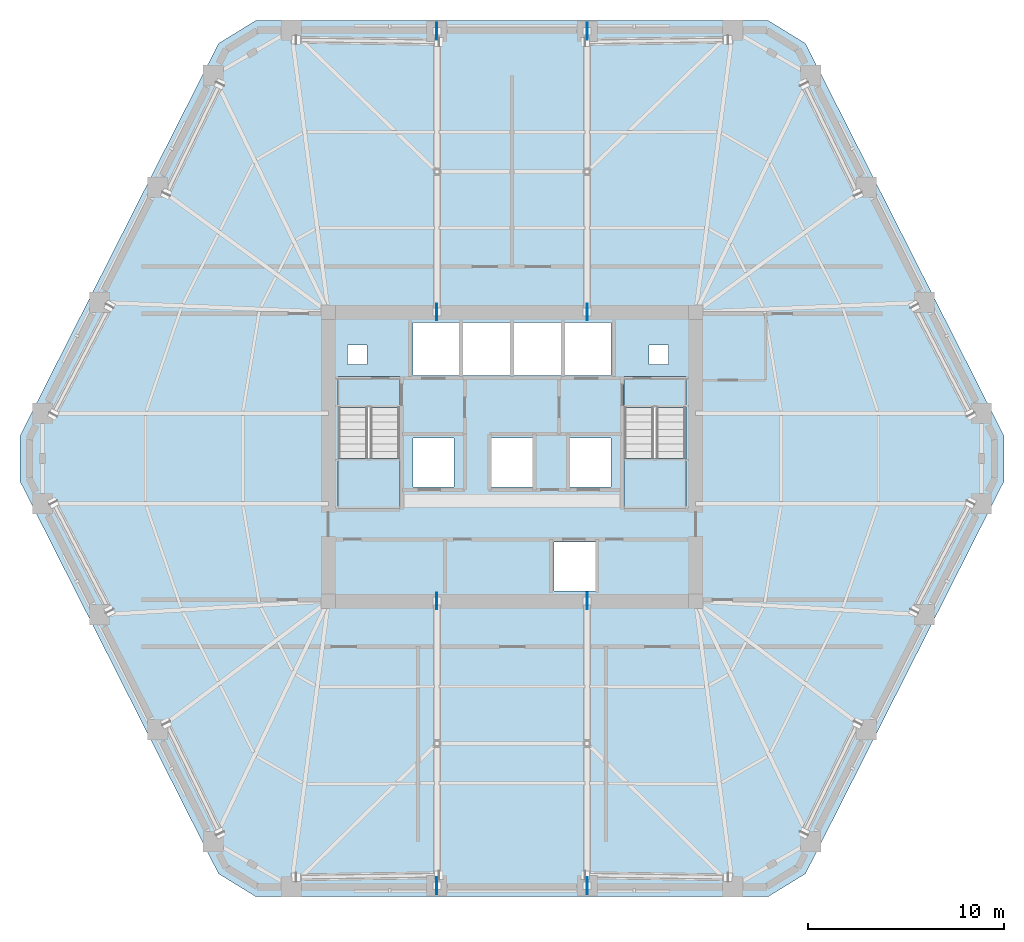
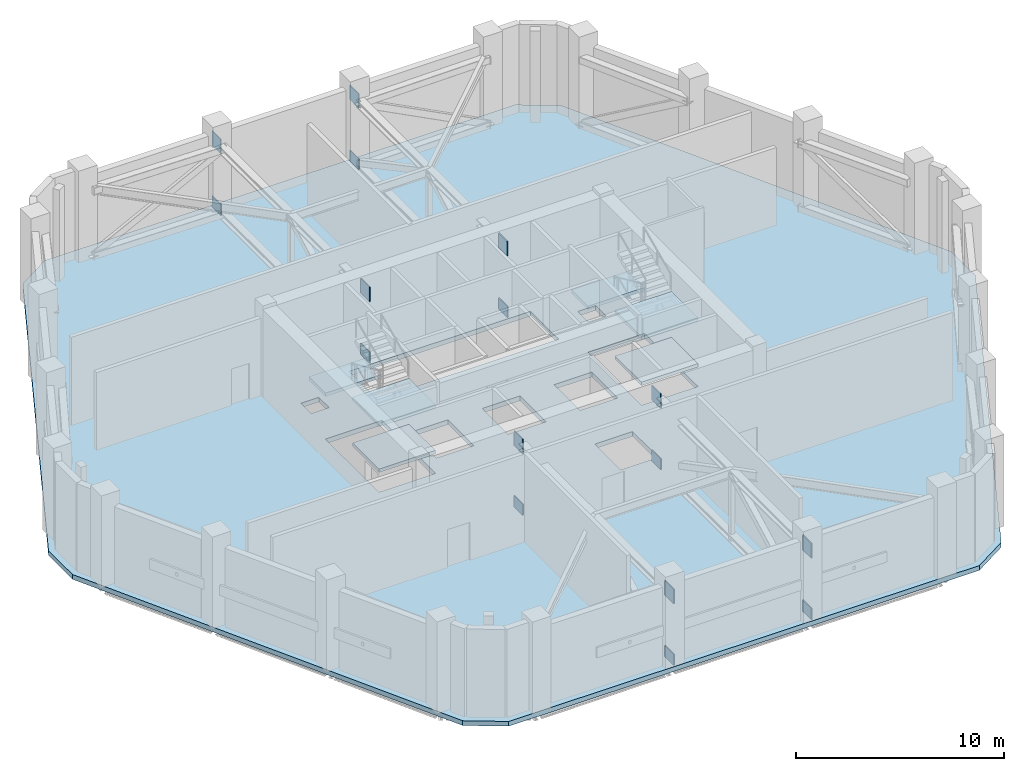
# One storey, part 6 of 15: 16 plates, 7 slabs, 2 elements without a shape of their own.
"""IFC4 building model written with IfcOpenShell, lengths in metres."""

import ifcopenshell
import ifcopenshell.guid

model = None  # the IFC model being written
_history = None  # IfcOwnerHistory: only IFC2X3 demands one
_inside = {}  # id of a spatial element -> (the spatial element, [elements in it])
_under = {}  # id of a project, library or spatial element -> (it, [spatial elements below it])
_declared = {}  # id of a project -> (the project, [libraries it declares])
_typed = {}  # id of a type object -> (the type object, [elements of that type])
_made_of = {}  # id of a material, layer set ... -> (it, [elements and type objects made of it])


def new_model(schema):
    """Start an empty IFC model of exactly this schema.

    Asked for "IFC4X3", IfcOpenShell would pick the latest addendum, in which some entities
    have other attributes; the version numbers below select the first issue.
    IFC2X3 requires an IfcOwnerHistory on every rooted entity: one is made here for all.
    """
    global model, _history
    if schema == "IFC4X3":
        model = ifcopenshell.file(schema_version=(4, 3, 0, 0))
    else:
        model = ifcopenshell.file(schema=schema)
    _inside.clear()
    _under.clear()
    _declared.clear()
    _typed.clear()
    _made_of.clear()
    _history = None
    if model.schema == "IFC2X3":
        org = make("IfcOrganization", Name="unknown")
        user = make(
            "IfcPersonAndOrganization",
            ThePerson=make("IfcPerson", FamilyName="unknown"),
            TheOrganization=org,
        )
        app = make(
            "IfcApplication",
            ApplicationDeveloper=org,
            Version="unknown",
            ApplicationFullName="unknown",
            ApplicationIdentifier="unknown",
        )
        _history = make(
            "IfcOwnerHistory",
            OwningUser=user,
            OwningApplication=app,
            ChangeAction="ADDED",
            CreationDate=0,
        )
    return model


def make(cls, **values):
    """One entity of the class cls with the attributes given. An attribute that is None is left unset."""
    return model.create_entity(
        cls, **{name: value for name, value in values.items() if value is not None}
    )


def rooted(cls, **values):
    """An entity with a GlobalId (a new one), such as an element, a storey or a relation."""
    return make(cls, GlobalId=ifcopenshell.guid.new(), OwnerHistory=_history, **values)


def si_unit(unit_type, name, prefix=None):
    """IfcSIUnit, for example si_unit("LENGTHUNIT", "METRE", prefix="MILLI")."""
    return make("IfcSIUnit", UnitType=unit_type, Prefix=prefix, Name=name)


def assignment(units):
    """IfcUnitAssignment: the units of a project."""
    return None if units is None else make("IfcUnitAssignment", Units=units)


def point(xyz):
    """IfcCartesianPoint."""
    return None if xyz is None else make("IfcCartesianPoint", Coordinates=xyz)


def direction(xyz):
    """IfcDirection."""
    return None if xyz is None else make("IfcDirection", DirectionRatios=xyz)


def frame(location, z_axis=None, x_axis=None):
    """IfcAxis2Placement3D, a coordinate frame: its origin and axes. An axis left out is left unset."""
    return make(
        "IfcAxis2Placement3D",
        Location=point(location),
        Axis=direction(z_axis),
        RefDirection=direction(x_axis),
    )


def frame_2d(location, x_axis=None):
    """IfcAxis2Placement2D, a coordinate frame in the plane: its origin and x axis."""
    return make(
        "IfcAxis2Placement2D", Location=point(location), RefDirection=direction(x_axis)
    )


def origin():
    """The frame at (0, 0, 0) with its axes left unset."""
    return frame((0.0, 0.0, 0.0))


def origin_2d():
    """The frame at (0, 0) in the plane with its x axis left unset."""
    return frame_2d((0.0, 0.0))


def place(relative_to, where):
    """IfcLocalPlacement: puts the frame where relative to a parent placement (None: the world)."""
    return make(
        "IfcLocalPlacement", PlacementRelTo=relative_to, RelativePlacement=where
    )


def context(
    kind, dimensions, precision=None, world=None, true_north=None, identifier=None
):
    """IfcGeometricRepresentationContext, for example the 3D "Model" context."""
    return make(
        "IfcGeometricRepresentationContext",
        ContextIdentifier=identifier,
        ContextType=kind,
        CoordinateSpaceDimension=dimensions,
        Precision=precision,
        WorldCoordinateSystem=world,
        TrueNorth=true_north,
    )


def subcontext(parent, identifier, kind, view, scale=None):
    """IfcGeometricRepresentationSubContext, for example "Body" below "Model"."""
    return make(
        "IfcGeometricRepresentationSubContext",
        ContextIdentifier=identifier,
        ContextType=kind,
        ParentContext=parent,
        TargetScale=scale,
        TargetView=view,
    )


def project(units=None, contexts=None):
    """IfcProject with its units and contexts."""
    return rooted(
        "IfcProject",
        Name="project",
        RepresentationContexts=contexts,
        UnitsInContext=assignment(units),
    )


def spatial(cls, under=None, at=None, **own):
    """A site, building, storey or space (cls), placed at a placement, below another one or the project."""
    s = rooted(cls, ObjectPlacement=at, **own)
    if under is not None:
        _under.setdefault(under.id(), (under, []))[1].append(s)
    return s


def polyline(points):
    """IfcPolyline through the points."""
    return make("IfcPolyline", Points=[point(p) for p in points])


def profile(cls, at=None, kind="AREA", **sizes):
    """A parametric profile (cls). Its sizes go by their IFC names, for example OverallWidth=200.0."""
    return make(cls, ProfileType=kind, Position=at, **sizes)


def rectangle(**sizes):
    """IfcRectangleProfileDef."""
    return profile("IfcRectangleProfileDef", **sizes)


def outline(outer, holes=None, kind="AREA"):
    """IfcArbitraryClosedProfileDef: a profile drawn as a closed curve; with holes, ...WithVoids."""
    if holes is None:
        return make("IfcArbitraryClosedProfileDef", ProfileType=kind, OuterCurve=outer)
    return make(
        "IfcArbitraryProfileDefWithVoids",
        ProfileType=kind,
        OuterCurve=outer,
        InnerCurves=holes,
    )


def extrude(swept, where, along, depth):
    """IfcExtrudedAreaSolid: the profile swept, set in the frame where, extruded along a direction by depth."""
    return make(
        "IfcExtrudedAreaSolid",
        SweptArea=swept,
        Position=where,
        ExtrudedDirection=direction(along),
        Depth=depth,
    )


def shape(context_of_items, identifier, shape_type, items):
    """IfcShapeRepresentation: the items that make up one representation, for example the "Body"."""
    return make(
        "IfcShapeRepresentation",
        ContextOfItems=context_of_items,
        RepresentationIdentifier=identifier,
        RepresentationType=shape_type,
        Items=items,
    )


def material(Name=None, Category=None):
    """IfcMaterial."""
    return make("IfcMaterial", Name=Name, Category=Category)


def layer(
    of_material, thickness, ventilated=None, Name=None, Category=None, Priority=None
):
    """IfcMaterialLayer: one layer of a wall or slab, of a material (None: an air gap)."""
    return make(
        "IfcMaterialLayer",
        Material=of_material,
        LayerThickness=thickness,
        IsVentilated=ventilated,
        Name=Name,
        Category=Category,
        Priority=Priority,
    )


def layer_set(layers, Name=None):
    """IfcMaterialLayerSet."""
    return make("IfcMaterialLayerSet", MaterialLayers=layers, LayerSetName=Name)


def made_of(thing, what):
    """Note that an element or type object is made of a material, layer set ...; save() writes the relation."""
    if what is not None:
        _made_of.setdefault(what.id(), (what, []))[1].append(thing)
    return thing


def type_object(cls, material=None, **own):
    """A type object (cls), such as IfcWallType, which elements share."""
    return made_of(rooted(cls, **own), material)


def element(
    cls,
    number,
    at=None,
    inside=None,
    cuts=None,
    type_object=None,
    material=None,
    context=None,
    identifier="Body",
    shape_type=None,
    held_by="IfcProductDefinitionShape",
    body=None,
    shapes=None,
    **own,
):
    """One element of the class cls, such as IfcWall. Its Tag is "e" and its number.

    at: its placement. inside: the storey or other place that contains it. cuts: it is an
    opening in that element (IfcRelVoidsElement). A single representation is given by context,
    identifier, shape_type and body (its items); several are given by shapes. held_by: the class
    of the entity that holds the representations. save() writes the other relations.
    """
    e = rooted(cls, Tag="e%d" % number, ObjectPlacement=at, **own)
    if body is not None:
        shapes = [shape(context, identifier, shape_type, body)]
    if shapes is not None:
        e.Representation = make(held_by, Representations=shapes)
    if inside is not None:
        _inside.setdefault(inside.id(), (inside, []))[1].append(e)
    if cuts is not None:
        rooted(
            "IfcRelVoidsElement", RelatingBuildingElement=cuts, RelatedOpeningElement=e
        )
    if type_object is not None:
        _typed.setdefault(type_object.id(), (type_object, []))[1].append(e)
    return made_of(e, material)


def aggregate(whole, parts):
    """IfcRelAggregates: a whole, such as a stair, and the parts it consists of."""
    return rooted("IfcRelAggregates", RelatingObject=whole, RelatedObjects=parts)


def save(model, path):
    """Write the relations noted so far, then the file.

    IfcRelAggregates (storeys below a building ...), IfcRelContainedInSpatialStructure (elements
    in a storey), IfcRelDefinesByType, IfcRelAssociatesMaterial and IfcRelDeclares: one each for
    every whole, place, type object, material and project.
    """
    for whole, parts in _under.values():
        aggregate(whole, parts)
    for where, things in _inside.values():
        rooted(
            "IfcRelContainedInSpatialStructure",
            RelatedElements=things,
            RelatingStructure=where,
        )
    for kind, things in _typed.values():
        rooted("IfcRelDefinesByType", RelatedObjects=things, RelatingType=kind)
    for what, things in _made_of.values():
        rooted("IfcRelAssociatesMaterial", RelatedObjects=things, RelatingMaterial=what)
    for by, libraries in _declared.values():
        rooted("IfcRelDeclares", RelatingContext=by, RelatedDefinitions=libraries)
    model.write(path)


model = new_model("IFC4")

# Units and contexts
model_context = context("Model", 3, precision=1e-05, world=origin(), true_north=direction((0.0, 1.0)))
body_context = subcontext(model_context, "Body", "Model", "MODEL_VIEW")
ifc_project = project(units=[si_unit("LENGTHUNIT", "METRE"), si_unit("AREAUNIT", "SQUARE_METRE"), si_unit("VOLUMEUNIT", "CUBIC_METRE"), si_unit("PLANEANGLEUNIT", "RADIAN"), si_unit("MASSUNIT", "GRAM", prefix="KILO")], contexts=[model_context])

# Site, building, storey
site_placement = place(None, origin())
site = spatial("IfcSite", under=ifc_project, at=site_placement, CompositionType="ELEMENT")
building_placement = place(site_placement, origin())
building = spatial("IfcBuilding", under=site, at=building_placement, Name="Cinnabar Lancet Tower", CompositionType="ELEMENT")
storey_placement = place(building_placement, frame((0.0, 0.0, 148.10009765625)))
storey = spatial("IfcBuildingStorey", under=building, at=storey_placement, Name="L39", CompositionType="ELEMENT", Elevation=148.10009765625)

# Stair, slabs
ifc_material_1 = material(Name="Concrete C40/50", Category="concrete")
stair_type = type_object("IfcStairType", Name="ST-CORE", PredefinedType="HALF_TURN_STAIR", material=ifc_material_1)
stair_1_placement = place(storey_placement, origin())
stair_1 = element("IfcStair", 1, at=stair_1_placement, inside=storey, type_object=stair_type, Name="L39 ST-1", PredefinedType="HALF_TURN_STAIR")
ifc_material_2 = material(Name="Concrete C40/50", Category="concrete")
ifc_layer_1 = layer(ifc_material_2, 0.199951171875)
ifc_layer_set_1 = layer_set([ifc_layer_1], Name="Concrete C40/50")
slab_type_1 = type_object("IfcSlabType", Name="LANDING-CORE", PredefinedType="LANDING", material=ifc_layer_set_1)
slab_1_placement = place(storey_placement, frame((0.0, 0.0, 1.14990234375)))
slab_1 = element("IfcSlab", 2, at=slab_1_placement, type_object=slab_type_1, Name="ST-1 landing 1", PredefinedType="LANDING", context=body_context, shape_type="SweptSolid", body=[
    extrude(outline(polyline([(23.52490234375, 25.80029296875), (23.52490234375, 23.25), (26.675048828125, 23.25), (26.675048828125, 25.80029296875), (23.52490234375, 25.80029296875)])), origin(), (0.0, 0.0, 1.0), 0.199951171875),
])
slab_2_placement = place(storey_placement, frame((0.0, 0.0, 2.5)))
slab_2 = element("IfcSlab", 3, at=slab_2_placement, type_object=slab_type_1, Name="ST-1 landing 2", PredefinedType="LANDING", context=body_context, shape_type="SweptSolid", body=[
    extrude(outline(polyline([(23.52490234375, 30.0), (23.52490234375, 28.39990234375), (26.675048828125, 28.39990234375), (26.675048828125, 30.0), (23.52490234375, 30.0)])), origin(), (0.0, 0.0, 1.0), 0.199951171875),
])
slab_3_placement = place(storey_placement, frame((0.0, 0.0, 3.849853515625)))
slab_3 = element("IfcSlab", 4, at=slab_3_placement, type_object=slab_type_1, Name="ST-1 landing 3", PredefinedType="LANDING", context=body_context, shape_type="SweptSolid", body=[
    extrude(outline(polyline([(23.52490234375, 25.80029296875), (23.52490234375, 23.25), (26.675048828125, 23.25), (26.675048828125, 25.80029296875), (23.52490234375, 25.80029296875)])), origin(), (0.0, 0.0, 1.0), 0.199951171875),
])
aggregate(stair_1, [slab_1, slab_2, slab_3])

stair_2_placement = place(storey_placement, origin())
stair_2 = element("IfcStair", 5, at=stair_2_placement, inside=storey, type_object=stair_type, Name="L39 ST-2", PredefinedType="HALF_TURN_STAIR")
slab_4_placement = place(storey_placement, frame((0.0, 0.0, 1.14990234375)))
slab_4 = element("IfcSlab", 6, at=slab_4_placement, type_object=slab_type_1, Name="ST-2 landing 1", PredefinedType="LANDING", context=body_context, shape_type="SweptSolid", body=[
    extrude(outline(polyline([(38.125, 25.80029296875), (38.125, 23.25), (41.27490234375, 23.25), (41.27490234375, 25.80029296875), (38.125, 25.80029296875)])), origin(), (0.0, 0.0, 1.0), 0.199951171875),
])
slab_5_placement = place(storey_placement, frame((0.0, 0.0, 2.5)))
slab_5 = element("IfcSlab", 7, at=slab_5_placement, type_object=slab_type_1, Name="ST-2 landing 2", PredefinedType="LANDING", context=body_context, shape_type="SweptSolid", body=[
    extrude(outline(polyline([(38.125, 30.0), (38.125, 28.39990234375), (41.27490234375, 28.39990234375), (41.27490234375, 30.0), (38.125, 30.0)])), origin(), (0.0, 0.0, 1.0), 0.199951171875),
])
slab_6_placement = place(storey_placement, frame((0.0, 0.0, 3.849853515625)))
slab_6 = element("IfcSlab", 8, at=slab_6_placement, type_object=slab_type_1, Name="ST-2 landing 3", PredefinedType="LANDING", context=body_context, shape_type="SweptSolid", body=[
    extrude(outline(polyline([(38.125, 25.80029296875), (38.125, 23.25), (41.27490234375, 23.25), (41.27490234375, 25.80029296875), (38.125, 25.80029296875)])), origin(), (0.0, 0.0, 1.0), 0.199951171875),
])
aggregate(stair_2, [slab_4, slab_5, slab_6])

# Plates
ifc_material_3 = material(Name="Structural steel S460", Category="steel")
ifc_layer_2 = layer(ifc_material_3, 0.050048828125)
ifc_layer_set_2 = layer_set([ifc_layer_2], Name="Structural steel S460")
plate_type = type_object("IfcPlateType", Name="STR-PL-GUS-50", PredefinedType="USERDEFINED", material=ifc_layer_set_2)
for number, where, z_axis, x_axis, name in (
    (9, (28.568115234375, 18.52490234375, -0.205078125), (0.0, 0.0, 1.0), (1.0, 0.0, 0.0), "L39 Outrigger 1 Node Gusset CB"),
    (10, (28.568115234375, 18.52490234375, 3.61474609375), (0.0, 0.0, 1.0), (1.0, 0.0, 0.0), "L39 Outrigger 1 Node Gusset CT"),
    (11, (28.568115234375, 3.991943359375, -0.205078125), (0.0, 0.0, 1.0), (1.0, 0.0, 0.0), "L39 Outrigger 1 Node Gusset PB"),
    (12, (28.568115234375, 3.991943359375, 3.61474609375), (0.0, 0.0, 1.0), (1.0, 0.0, 0.0), "L39 Outrigger 1 Node Gusset PT"),
    (13, (36.23193359375, 18.52490234375, -0.205078125), (0.0, 0.0, 1.0), (1.0, 0.0, 0.0), "L39 Outrigger 2 Node Gusset CB"),
    (14, (36.23193359375, 18.52490234375, 3.61474609375), (0.0, 0.0, 1.0), (1.0, 0.0, 0.0), "L39 Outrigger 2 Node Gusset CT"),
    (15, (36.23193359375, 3.991943359375, -0.205078125), (0.0, 0.0, 1.0), (1.0, 0.0, 0.0), "L39 Outrigger 2 Node Gusset PB"),
    (16, (36.23193359375, 3.991943359375, 3.61474609375), (0.0, 0.0, 1.0), (1.0, 0.0, 0.0), "L39 Outrigger 2 Node Gusset PT"),
    (17, (36.23193359375, 33.27490234375, -0.205078125), (0.0, 0.0, 1.0), (1.0, 0.0, 0.0), "L39 Outrigger 3 Node Gusset CB"),
    (18, (36.23193359375, 33.27490234375, 3.61474609375), (0.0, 0.0, 1.0), (1.0, 0.0, 0.0), "L39 Outrigger 3 Node Gusset CT"),
    (19, (36.23193359375, 47.60791015625, -0.205078125), (0.0, 0.0, 1.0), (1.0, 0.0, 0.0), "L39 Outrigger 3 Node Gusset PB"),
    (20, (36.23193359375, 47.60791015625, 3.61474609375), (0.0, 0.0, 1.0), (1.0, 0.0, 0.0), "L39 Outrigger 3 Node Gusset PT"),
    (21, (28.568115234375, 33.27490234375, -0.205078125), (0.0, 0.0, 1.0), (1.0, 0.0, 0.0), "L39 Outrigger 4 Node Gusset CB"),
    (22, (28.568115234375, 33.27490234375, 3.61474609375), (0.0, 0.0, 1.0), (1.0, 0.0, 0.0), "L39 Outrigger 4 Node Gusset CT"),
    (23, (28.568115234375, 47.60791015625, -0.205078125), (0.0, 0.0, 1.0), (1.0, 0.0, 0.0), "L39 Outrigger 4 Node Gusset PB"),
    (24, (28.568115234375, 47.60791015625, 3.61474609375), (0.0, 0.0, 1.0), (1.0, 0.0, 0.0), "L39 Outrigger 4 Node Gusset PT"),
):
    element("IfcPlate", number, at=place(storey_placement, frame(where, z_axis=z_axis, x_axis=x_axis)), inside=storey, type_object=plate_type, Name=name, ObjectType="GUSSET PLATE", PredefinedType="USERDEFINED", context=body_context, shape_type="SweptSolid", body=[
        extrude(rectangle(XDim=0.050048828125, YDim=0.85009765625, at=origin_2d()), origin(), (0.0, 0.0, 1.0), 0.85009765625),
    ])

# Slab
ifc_material_4 = material(Name="Concrete C45/55", Category="concrete")
ifc_layer_3 = layer(ifc_material_4, 0.280029296875)
ifc_layer_set_3 = layer_set([ifc_layer_3], Name="Concrete C45/55")
slab_type_2 = type_object("IfcSlabType", Name="STR-SLB-FLR-280", PredefinedType="FLOOR", material=ifc_layer_set_3)
slab_7_placement = place(storey_placement, frame((0.0, 0.0, -0.280029296875)))
element("IfcSlab", 25, at=slab_7_placement, inside=storey, type_object=slab_type_2, Name="L39 Structural Floor Slab", PredefinedType="FLOOR", context=body_context, shape_type="SweptSolid", body=[
    extrude(outline(polyline([(17.4208984375, 4.610107421875), (19.30810546875, 3.449951171875), (45.491943359375, 3.449951171875), (47.37890625, 4.610107421875), (57.512939453125, 24.639892578125), (57.512939453125, 26.9599609375), (47.37890625, 46.989990234375), (45.491943359375, 48.14990234375), (19.30810546875, 48.14990234375), (17.4208984375, 46.989990234375), (7.287109375, 26.9599609375), (7.287109375, 24.639892578125), (17.4208984375, 4.610107421875)]), holes=[polyline([(23.52490234375, 23.25), (26.675048828125, 23.25), (26.675048828125, 28.3994140625), (23.52490234375, 28.3994140625), (23.52490234375, 23.25)]), polyline([(38.125, 23.25), (41.27490234375, 23.25), (41.27490234375, 28.3994140625), (38.125, 28.3994140625), (38.125, 23.25)]), polyline([(27.35009765625, 30.050048828125), (37.449951171875, 30.050048828125), (37.449951171875, 32.75), (27.35009765625, 32.75), (27.35009765625, 30.050048828125)]), polyline([(34.550048828125, 19.050048828125), (36.64990234375, 19.050048828125), (36.64990234375, 21.550048828125), (34.550048828125, 21.550048828125), (34.550048828125, 19.050048828125)]), polyline([(27.35009765625, 24.35009765625), (29.449951171875, 24.35009765625), (29.449951171875, 26.85009765625), (27.35009765625, 26.85009765625), (27.35009765625, 24.35009765625)]), polyline([(35.35009765625, 24.35009765625), (37.449951171875, 24.35009765625), (37.449951171875, 26.85009765625), (35.35009765625, 26.85009765625), (35.35009765625, 24.35009765625)]), polyline([(31.35009765625, 24.35009765625), (33.449951171875, 24.35009765625), (33.449951171875, 26.85009765625), (31.35009765625, 26.85009765625), (31.35009765625, 24.35009765625)]), polyline([(24.0, 30.60009765625), (25.0, 30.60009765625), (25.0, 31.60009765625), (24.0, 31.60009765625), (24.0, 30.60009765625)]), polyline([(39.39990234375, 30.60009765625), (40.39990234375, 30.60009765625), (40.39990234375, 31.60009765625), (39.39990234375, 31.60009765625), (39.39990234375, 30.60009765625)])]), origin(), (0.0, 0.0, 1.0), 0.280029296875),
])

save(model, "model.ifc")
